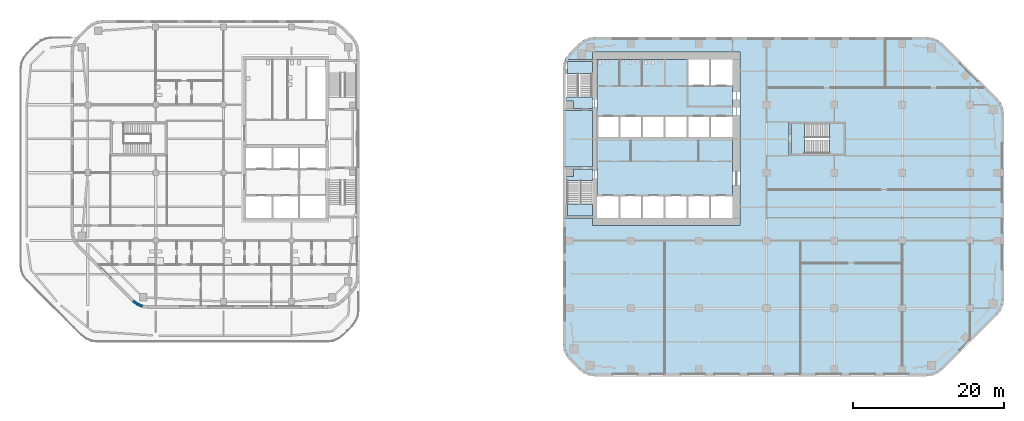
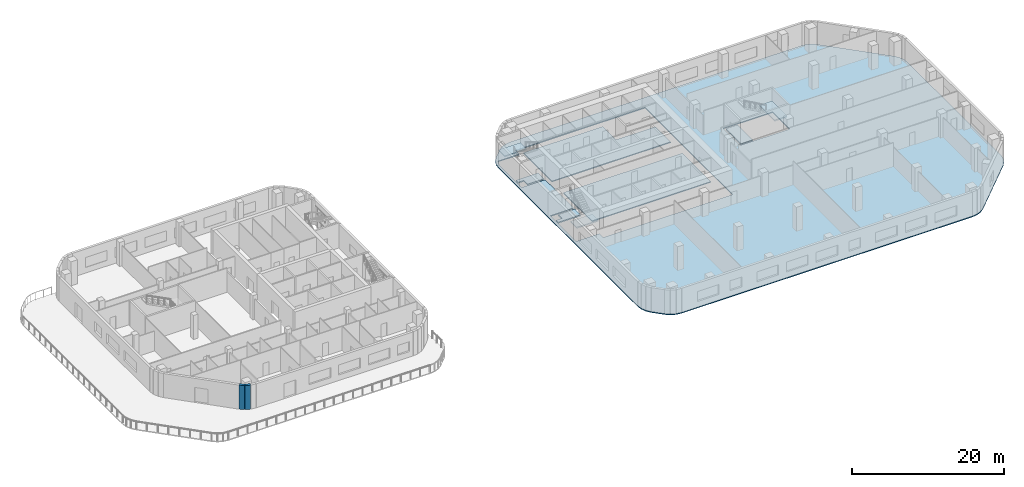
# One storey, part 4 of 15: 9 slabs, 2 walls, 3 elements without a shape of their own.
"""IFC4 building model written with IfcOpenShell, lengths in metres."""

from ifc_helpers import new_model, si_unit, direction, frame, frame_2d, origin, place, context, subcontext, project, spatial, polyline, rectangle, outline, extrude, material, layer, layer_set, type_object, element, aggregate, save


model = new_model("IFC4")

# Units and contexts
model_context = context("Model", 3, precision=1e-05, world=origin(), true_north=direction((0.0, 1.0)))
body_context = subcontext(model_context, "Body", "Model", "MODEL_VIEW")
ifc_project = project(units=[si_unit("LENGTHUNIT", "METRE"), si_unit("AREAUNIT", "SQUARE_METRE"), si_unit("VOLUMEUNIT", "CUBIC_METRE"), si_unit("PLANEANGLEUNIT", "RADIAN"), si_unit("MASSUNIT", "GRAM", prefix="KILO")], contexts=[model_context])

# Site, building, storey
site_placement = place(None, origin())
site = spatial("IfcSite", under=ifc_project, at=site_placement, CompositionType="ELEMENT")
building_placement = place(site_placement, origin())
building = spatial("IfcBuilding", under=site, at=building_placement, Name="Cinnabar Reach Civic Tower", CompositionType="ELEMENT")
storey_placement = place(building_placement, frame((0.0, 0.0, 51.0)))
storey = spatial("IfcBuildingStorey", under=building, at=storey_placement, Name="L11", CompositionType="ELEMENT", Elevation=51.0)

# Slab
ifc_material_1 = material(Name="Concrete C40", Category="concrete")
ifc_layer_1 = layer(ifc_material_1, 0.15)
ifc_layer_set_1 = layer_set([ifc_layer_1], Name="Composite floor slab 150 REI 150")
slab_type_1 = type_object("IfcSlabType", Name="Composite floor slab 150 REI 150", PredefinedType="FLOOR", material=ifc_layer_set_1)
slab_1_placement = place(storey_placement, frame((0.0, 0.0, -0.15)))
element("IfcSlab", 1, at=slab_1_placement, inside=storey, type_object=slab_type_1, Name="Composite floor slab 150 T1 L11", PredefinedType="FLOOR", context=body_context, shape_type="SweptSolid", body=[
    extrude(outline(polyline([(0.8787, 2.1213), (0.4019, 2.7426), (0.1022, 3.4662), (0.0, 4.2426), (0.0, 40.7574), (0.1022, 41.5338), (0.4019, 42.2574), (0.8787, 42.8787), (2.1213, 44.1213), (2.7426, 44.5981), (3.4662, 44.8978), (4.2426, 45.0), (48.2574, 45.0), (49.0338, 44.8978), (49.7574, 44.5981), (50.3787, 44.1213), (57.6213, 36.8787), (58.0981, 36.2574), (58.3978, 35.5338), (58.5, 34.7574), (58.5, 10.2426), (58.3978, 9.4662), (58.0981, 8.7426), (57.6213, 8.1213), (50.3787, 0.8787), (49.7574, 0.4019), (49.0338, 0.1022), (48.2574, 0.0), (4.2426, 0.0), (3.4662, 0.1022), (2.7426, 0.4019), (2.1213, 0.8787), (0.8787, 2.1213)]), holes=[polyline([(0.36, 21.0), (3.9, 21.0), (3.9, 20.0), (23.5, 20.0), (23.5, 43.0), (3.9, 43.0), (3.9, 42.0), (0.685, 42.0), (0.453, 41.4398), (0.36, 40.7338), (0.36, 35.25), (3.9, 35.25), (3.9, 27.75), (0.36, 27.75), (0.36, 21.0)]), polyline([(30.0, 33.75), (30.0, 29.25), (37.5, 29.25), (37.5, 33.75), (30.0, 33.75)])]), origin(), (0.0, 0.0, 1.0), 0.15),
])

# Stair, slabs
ifc_material_2 = material(Name="Concrete C40/50", Category="concrete")
stair_type = type_object("IfcStairType", Name="T1 Exit stair, half-turn", PredefinedType="HALF_TURN_STAIR", material=ifc_material_2)
stair_1_placement = place(storey_placement, origin())
stair_1 = element("IfcStair", 2, at=stair_1_placement, inside=storey, type_object=stair_type, Name="Stair T1-S1", PredefinedType="HALF_TURN_STAIR")
ifc_layer_2 = layer(ifc_material_2, 0.2)
ifc_layer_set_2 = layer_set([ifc_layer_2], Name="T1 Stair landing 200, Concrete C40/50")
slab_type_2 = type_object("IfcSlabType", Name="T1 Stair landing 200, Concrete C40/50", PredefinedType="LANDING", material=ifc_layer_set_2)
slab_2_placement = place(storey_placement, frame((0.0, 0.0, -0.2)))
slab_2 = element("IfcSlab", 3, at=slab_2_placement, type_object=slab_type_2, Name="T1-S1 landing 1", PredefinedType="LANDING", context=body_context, shape_type="SweptSolid", body=[
    extrude(outline(polyline([(3.9, 27.5), (3.9, 25.95), (0.5, 25.95), (0.5, 26.5), (1.4, 26.5), (1.4, 27.5), (3.9, 27.5)])), origin(), (0.0, 0.0, 1.0), 0.2),
])
slab_3_placement = place(storey_placement, frame((0.0, 0.0, 1.8)))
slab_3 = element("IfcSlab", 4, at=slab_3_placement, type_object=slab_type_2, Name="T1-S1 landing 2", PredefinedType="LANDING", context=body_context, shape_type="SweptSolid", body=[
    extrude(outline(polyline([(0.6, 21.25), (0.6, 22.87), (3.9, 22.87), (3.9, 21.25), (0.6, 21.25)])), origin(), (0.0, 0.0, 1.0), 0.2),
])
aggregate(stair_1, [slab_2, slab_3])

stair_2_placement = place(storey_placement, origin())
stair_2 = element("IfcStair", 5, at=stair_2_placement, inside=storey, type_object=stair_type, Name="Stair T1-S2", PredefinedType="HALF_TURN_STAIR")
slab_4_placement = place(storey_placement, frame((0.0, 0.0, -0.2)))
slab_4 = element("IfcSlab", 6, at=slab_4_placement, type_object=slab_type_2, Name="T1-S2 landing 1", PredefinedType="LANDING", context=body_context, shape_type="SweptSolid", body=[
    extrude(outline(polyline([(0.5, 37.05), (3.9, 37.05), (3.9, 35.5), (1.4, 35.5), (1.4, 36.5), (0.5, 36.5), (0.5, 37.05)])), origin(), (0.0, 0.0, 1.0), 0.2),
])
slab_5_placement = place(storey_placement, frame((0.0, 0.0, 1.8)))
slab_5 = element("IfcSlab", 7, at=slab_5_placement, type_object=slab_type_2, Name="T1-S2 landing 2", PredefinedType="LANDING", context=body_context, shape_type="SweptSolid", body=[
    extrude(outline(polyline([(0.6, 40.13), (0.6, 41.75), (3.9, 41.75), (3.9, 40.13), (0.6, 40.13)])), origin(), (0.0, 0.0, 1.0), 0.2),
])
aggregate(stair_2, [slab_4, slab_5])

stair_3_placement = place(storey_placement, origin())
stair_3 = element("IfcStair", 8, at=stair_3_placement, inside=storey, type_object=stair_type, Name="Stair T1-S3", PredefinedType="HALF_TURN_STAIR")
slab_6_placement = place(storey_placement, frame((0.0, 0.0, -0.2)))
slab_6 = element("IfcSlab", 9, at=slab_6_placement, type_object=slab_type_2, Name="T1-S3 landing 1", PredefinedType="LANDING", context=body_context, shape_type="SweptSolid", body=[
    extrude(outline(polyline([(30.25, 29.5), (32.05, 29.5), (32.05, 33.5), (30.25, 33.5), (30.25, 29.5)])), origin(), (0.0, 0.0, 1.0), 0.2),
])
slab_7_placement = place(storey_placement, frame((0.0, 0.0, 1.8)))
slab_7 = element("IfcSlab", 10, at=slab_7_placement, type_object=slab_type_2, Name="T1-S3 landing 2", PredefinedType="LANDING", context=body_context, shape_type="SweptSolid", body=[
    extrude(outline(polyline([(35.35, 29.5), (37.25, 29.5), (37.25, 33.5), (35.35, 33.5), (35.35, 29.5)])), origin(), (0.0, 0.0, 1.0), 0.2),
])
aggregate(stair_3, [slab_6, slab_7])

# Slabs
ifc_layer_3 = layer(ifc_material_2, 0.15)
ifc_layer_set_3 = layer_set([ifc_layer_3], Name="T1 core floor slab 150")
slab_type_3 = type_object("IfcSlabType", Name="T1 core floor slab 150", PredefinedType="FLOOR", material=ifc_layer_set_3)
slab_8_placement = place(storey_placement, frame((0.0, 0.0, -0.15)))
element("IfcSlab", 11, at=slab_8_placement, inside=storey, type_object=slab_type_3, Name="Core floor slab L11", PredefinedType="FLOOR", context=body_context, shape_type="SweptSolid", body=[
    extrude(outline(polyline([(22.5, 24.0), (19.5, 24.0), (16.5, 24.0), (13.5, 24.0), (10.5, 24.0), (7.5, 24.0), (4.5, 24.0), (4.5, 31.5), (7.5, 31.5), (10.5, 31.5), (13.5, 31.5), (16.5, 31.5), (19.5, 31.5), (22.5, 31.5), (22.5, 24.0)])), origin(), (0.0, 0.0, 1.0), 0.15),
])
slab_9_placement = place(storey_placement, frame((0.0, 0.0, -0.15)))
element("IfcSlab", 12, at=slab_9_placement, inside=storey, type_object=slab_type_3, Name="Core floor slab L11", PredefinedType="FLOOR", context=body_context, shape_type="SweptSolid", body=[
    extrude(outline(polyline([(22.5, 34.5), (19.5, 34.5), (16.5, 34.5), (13.5, 34.5), (10.5, 34.5), (7.5, 34.5), (4.5, 34.5), (4.5, 42.0), (16.5, 42.0), (16.5, 38.5), (19.5, 38.5), (22.5, 38.5), (22.5, 34.5)])), origin(), (0.0, 0.0, 1.0), 0.15),
])

# Walls
ifc_material_3 = material(Name="Facing brick with insulated backing", Category="masonry")
ifc_layer_4 = layer(ifc_material_3, 0.36)
ifc_layer_set_4 = layer_set([ifc_layer_4], Name="Brick corner wall")
wall_type = type_object("IfcWallType", Name="Brick corner wall", PredefinedType="STANDARD", material=ifc_layer_set_4)
wall_1_placement = place(storey_placement, frame((-56.9913, 10.0002, 0.0), z_axis=(0.0, 0.0, 1.0), x_axis=(0.793321924995, -0.608802368033, 0.0)))
element("IfcWall", 13, at=wall_1_placement, inside=storey, type_object=wall_type, Name="Brick corner wall", PredefinedType="STANDARD", context=body_context, shape_type="SweptSolid", body=[
    extrude(rectangle(XDim=0.7132, YDim=0.36, at=frame_2d((0.3566, 0.0))), origin(), (0.0, 0.0, 1.0), 3.85),
])
wall_2_placement = place(storey_placement, frame((-56.4061, 9.5548, 0.0), z_axis=(0.0, 0.0, 1.0), x_axis=(0.923871547278, -0.382702709855, 0.0)))
element("IfcWall", 14, at=wall_2_placement, inside=storey, type_object=wall_type, Name="Brick corner wall", PredefinedType="STANDARD", context=body_context, shape_type="SweptSolid", body=[
    extrude(rectangle(XDim=0.7131, YDim=0.36, at=frame_2d((0.3565, 0.0))), origin(), (0.0, 0.0, 1.0), 3.85),
])

save(model, "model.ifc")
